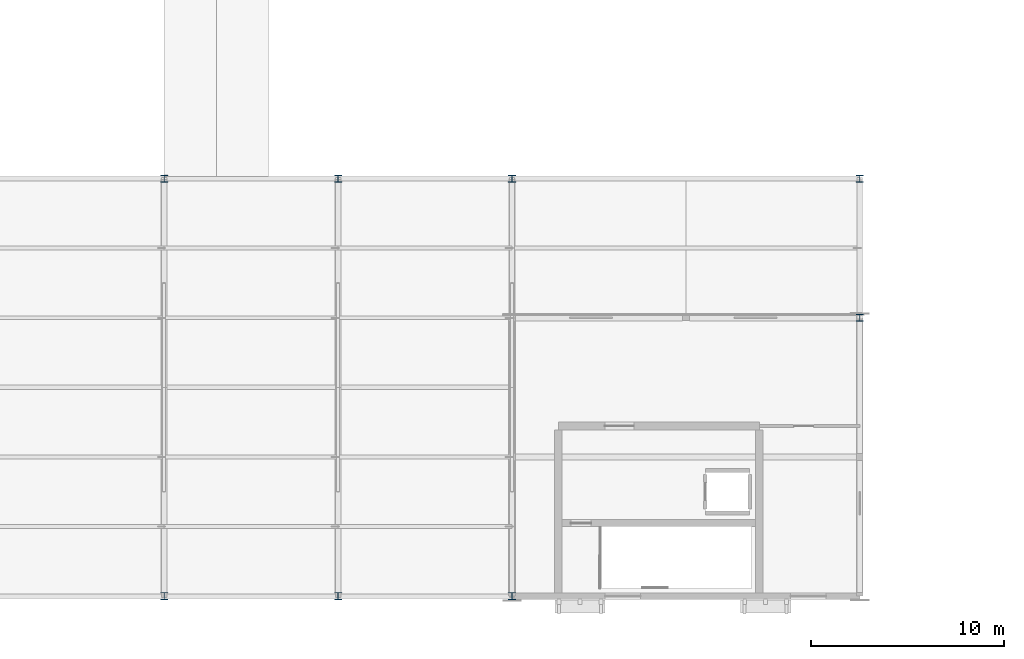
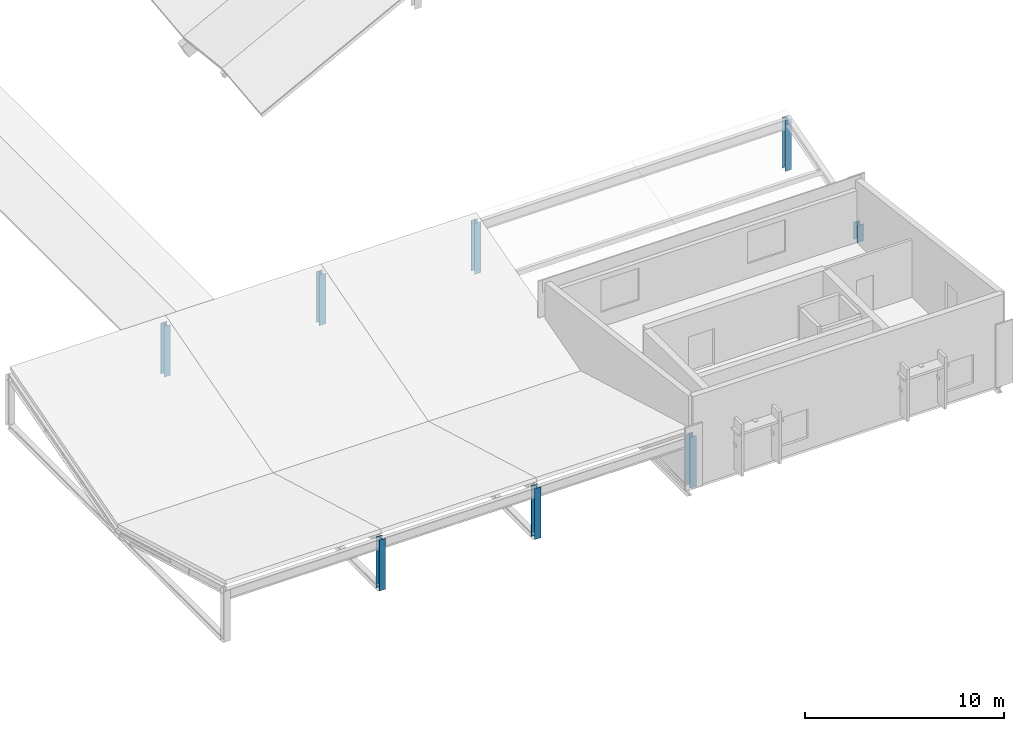
# One storey, part 5 of 64: 8 columns.
"""IFC4 building model written with IfcOpenShell, lengths in metres."""

from ifc_helpers import new_model, si_unit, direction, frame, origin, origin_2d, place, context, subcontext, project, spatial, i_section, extrude, material, material_profile, profile_set, type_object, element, save


model = new_model("IFC4")

# Units and contexts
model_context = context("Model", 3, precision=1e-05, world=origin(), true_north=direction((0.0, 1.0)))
body_context = subcontext(model_context, "Body", "Model", "MODEL_VIEW")
ifc_project = project(units=[si_unit("LENGTHUNIT", "METRE"), si_unit("AREAUNIT", "SQUARE_METRE"), si_unit("VOLUMEUNIT", "CUBIC_METRE"), si_unit("PLANEANGLEUNIT", "RADIAN"), si_unit("MASSUNIT", "GRAM", prefix="KILO")], contexts=[model_context])

# Site, building, storey
site_placement = place(None, origin())
site = spatial("IfcSite", under=ifc_project, at=site_placement, CompositionType="ELEMENT")
building_placement = place(site_placement, origin())
building = spatial("IfcBuilding", under=site, at=building_placement, Name="Vervanel Yard Central Library", CompositionType="ELEMENT")
storey_placement = place(building_placement, frame((0.0, 0.0, 8.93994140625)))
storey = spatial("IfcBuildingStorey", under=building, at=storey_placement, Name="L02", CompositionType="ELEMENT", Elevation=8.93994140625)

# Columns
ifc_material = material(Name="Steel ASTM A992 Grade 50", Category="steel")
ifc_material_profile = material_profile(ifc_material, i_section(OverallWidth=0.368408203125, OverallDepth=0.355712890625, WebThickness=0.01123046875, FlangeThickness=0.01806640625, at=origin_2d()), Name="W14X90", Category="steel")
ifc_profile_set = profile_set([ifc_material_profile], Name="Steel ASTM A992 Grade 50")
column_type = type_object("IfcColumnType", Name="Steel Column W14X90", PredefinedType="COLUMN", material=ifc_profile_set)
for number, where, z_axis, x_axis, name in (
    (1, (72.0, 0.0, 0.0), (0.0, 0.0, 1.0), (1.0, 0.0, 0.0), "V5 Butterfly Eave Column S X=72.0"),
    (2, (72.0, 21.60009765625, 0.0), (0.0, 0.0, 1.0), (1.0, 0.0, 0.0), "V5 Butterfly Eave Column N X=72.0"),
    (3, (81.0, 0.0, 0.0), (0.0, 0.0, 1.0), (1.0, 0.0, 0.0), "V5 Butterfly Eave Column S X=81.0"),
    (4, (81.0, 21.60009765625, 0.0), (0.0, 0.0, 1.0), (1.0, 0.0, 0.0), "V5 Butterfly Eave Column N X=81.0"),
    (5, (90.0, 0.0, 0.0), (0.0, 0.0, 1.0), (1.0, 0.0, 0.0), "V5 Butterfly Eave Column S X=90.0"),
    (6, (90.0, 21.60009765625, 0.0), (0.0, 0.0, 1.0), (1.0, 0.0, 0.0), "V5 Butterfly Eave Column N X=90.0"),
):
    element("IfcColumn", number, at=place(storey_placement, frame(where, z_axis=z_axis, x_axis=x_axis)), inside=storey, type_object=column_type, Name=name, PredefinedType="COLUMN", context=body_context, shape_type="SweptSolid", body=[
        extrude(i_section(OverallWidth=0.368408203125, OverallDepth=0.355712890625, WebThickness=0.01123046875, FlangeThickness=0.01806640625, at=origin_2d()), origin(), (0.0, 0.0, 1.0), 3.116943359375),
    ])
column_1_placement = place(storey_placement, frame((108.0, 14.39990234375, 0.0), z_axis=(0.0, 0.0, 1.0), x_axis=(1.0, 0.0, 0.0)))
element("IfcColumn", 7, at=column_1_placement, inside=storey, type_object=column_type, Name="V5 Butterfly East Eave Column Y=14.4", PredefinedType="COLUMN", context=body_context, shape_type="SweptSolid", body=[
    extrude(i_section(OverallWidth=0.368408203125, OverallDepth=0.355712890625, WebThickness=0.01123046875, FlangeThickness=0.01806640625, at=origin_2d()), origin(), (0.0, 0.0, 1.0), 1.05224609375),
])
column_2_placement = place(storey_placement, frame((108.0, 21.60009765625, 0.0), z_axis=(0.0, 0.0, 1.0), x_axis=(1.0, 0.0, 0.0)))
element("IfcColumn", 8, at=column_2_placement, inside=storey, type_object=column_type, Name="V5 Butterfly East Eave Column Y=21.6", PredefinedType="COLUMN", context=body_context, shape_type="SweptSolid", body=[
    extrude(i_section(OverallWidth=0.368408203125, OverallDepth=0.355712890625, WebThickness=0.01123046875, FlangeThickness=0.01806640625, at=origin_2d()), origin(), (0.0, 0.0, 1.0), 3.116943359375),
])

save(model, "model.ifc")
